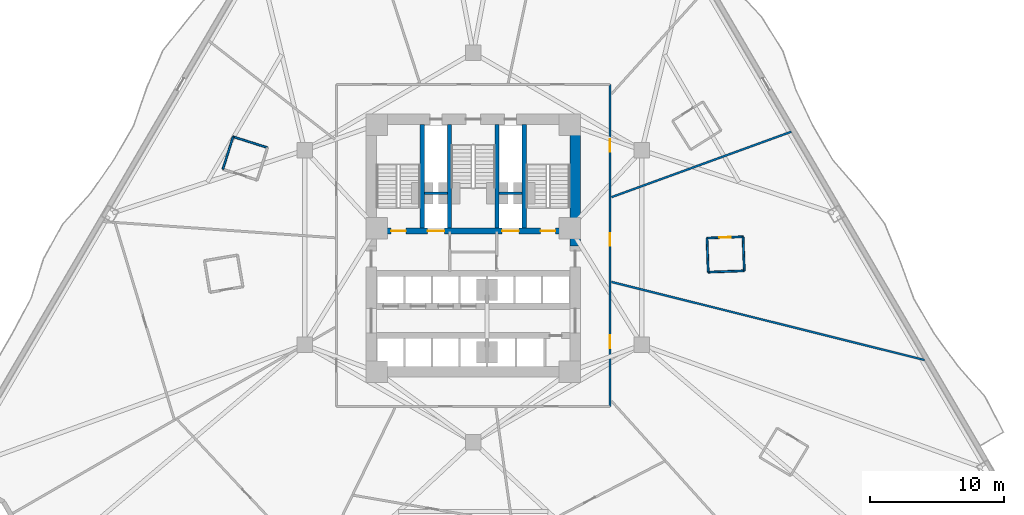
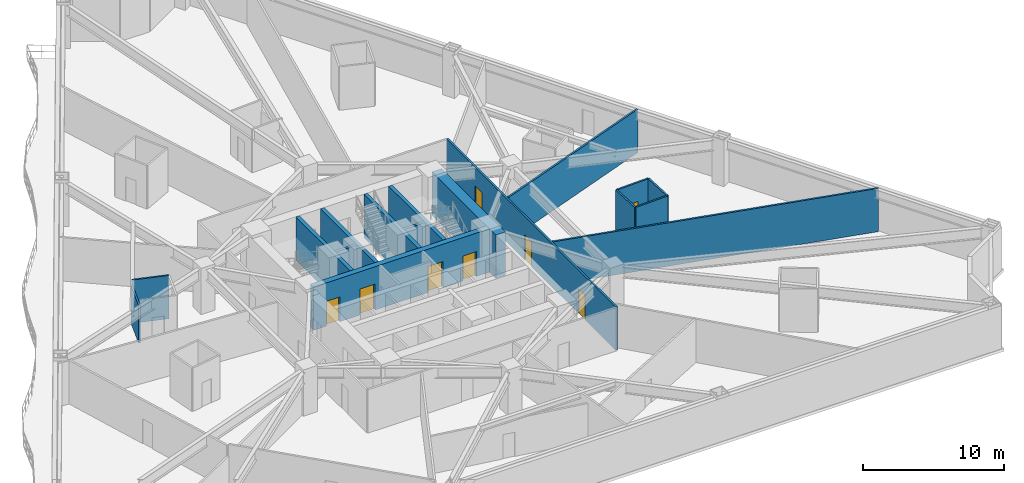
# One storey, part 5 of 11: 17 walls, 8 doors, 8 openings.
"""IFC4 building model written with IfcOpenShell, lengths in metres."""

from ifc_helpers import new_model, si_unit, direction, frame, frame_2d, origin, place, context, subcontext, project, spatial, rectangle, extrude, material, layer, layer_set, type_object, element, fill, save


model = new_model("IFC4")

# Units and contexts
model_context = context("Model", 3, precision=1e-05, world=origin(), true_north=direction((0.0, 1.0)))
body_context = subcontext(model_context, "Body", "Model", "MODEL_VIEW")
ifc_project = project(units=[si_unit("LENGTHUNIT", "METRE"), si_unit("AREAUNIT", "SQUARE_METRE"), si_unit("VOLUMEUNIT", "CUBIC_METRE"), si_unit("PLANEANGLEUNIT", "RADIAN"), si_unit("MASSUNIT", "GRAM", prefix="KILO")], contexts=[model_context])

# Site, building, storey
site_placement = place(None, origin())
site = spatial("IfcSite", under=ifc_project, at=site_placement, CompositionType="ELEMENT")
building_placement = place(site_placement, origin())
building = spatial("IfcBuilding", under=site, at=building_placement, Name="Apsidion Concourse Tower", CompositionType="ELEMENT")
storey_placement = place(building_placement, frame((0.0, 0.0, 54.39990234375)))
storey = spatial("IfcBuildingStorey", under=building, at=storey_placement, Name="L11", CompositionType="ELEMENT", Elevation=54.39990234375)

# Walls
ifc_material_1 = material(Name="Gypsum plasterboard partition")
ifc_layer_1 = layer(ifc_material_1, 0.139892578125)
ifc_layer_set_1 = layer_set([ifc_layer_1], Name="Gypsum plasterboard partition")
wall_type_1 = type_object("IfcWallType", Name="WL-INT-PAR-140", PredefinedType="PARTITIONING", material=ifc_layer_set_1)
wall_1_placement = place(storey_placement, frame((17.50830078125, -1.837646484375, 0.0), z_axis=(0.0, 0.0, 1.0), x_axis=(0.999327457394, 0.036669236402, 0.0)))
element("IfcWall", 1, at=wall_1_placement, inside=storey, type_object=wall_type_1, Name="L11 Interior Partition WL-L11-POD-ENS05-S1", PredefinedType="PARTITIONING", context=body_context, shape_type="SweptSolid", body=[
    extrude(rectangle(XDim=2.689697265625, YDim=0.139892578125, at=frame_2d((1.3447265625, 0.0))), origin(), (0.0, 0.0, 1.0), 3.75),
])
wall_2_placement = place(storey_placement, frame((20.1962890625, -1.739013671875, 0.0), z_axis=(0.0, 0.0, 1.0), x_axis=(-0.03662060601, 0.999329240649, 0.0)))
element("IfcWall", 2, at=wall_2_placement, inside=storey, type_object=wall_type_1, Name="L11 Interior Partition WL-L11-POD-ENS05-S2", PredefinedType="PARTITIONING", context=body_context, shape_type="SweptSolid", body=[
    extrude(rectangle(XDim=2.5400390625, YDim=0.139892578125, at=frame_2d((1.27001953125, 0.0))), origin(), (0.0, 0.0, 1.0), 3.75),
])

# Wall, opening, door
wall_3_placement = place(storey_placement, frame((20.103271484375, 0.79931640625, 0.0), z_axis=(0.0, 0.0, 1.0), x_axis=(-0.999327579424, -0.036665910643, 0.0)))
wall_3 = element("IfcWall", 3, at=wall_3_placement, inside=storey, type_object=wall_type_1, Name="L11 Interior Partition WL-L11-POD-ENS05-S3", PredefinedType="PARTITIONING", context=body_context, shape_type="SweptSolid", body=[
    extrude(rectangle(XDim=2.68994140625, YDim=0.139892578125, at=frame_2d((1.344970703125, 0.0))), origin(), (0.0, 0.0, 1.0), 3.75),
])
opening_1_placement = place(wall_3_placement, frame((0.905029296875, 0.0, 0.0)))
opening_1 = element("IfcOpeningElement", 4, at=opening_1_placement, cuts=wall_3, Name="Opening D-03R", PredefinedType="OPENING", context=body_context, shape_type="SweptSolid", body=[
    extrude(rectangle(XDim=0.8798828125, YDim=2.10009765625, at=frame_2d((0.43994140625, 1.050048828125))), frame((0.0, 0.080078125, 0.0), z_axis=(0.0, -1.0, 0.0), x_axis=(1.0, 0.0, 0.0)), (0.0, 0.0, 1.0), 0.159912109375),
])
ifc_material_2 = material(Name="Anodised aluminium EN AW-6063 T6", Category="aluminium")
door_type_1 = type_object("IfcDoorType", Name="DR-INT-D03R", OperationType="SINGLE_SWING_RIGHT", PredefinedType="DOOR", material=ifc_material_2)
door_1_placement = place(opening_1_placement, origin())
door_1 = element("IfcDoor", 5, at=door_1_placement, inside=storey, type_object=door_type_1, Name="L11 Guest En-Suite Bathroom Door ENS05", OperationType="SINGLE_SWING_RIGHT", OverallHeight=2.10009765625, OverallWidth=0.8798828125, PredefinedType="DOOR", context=body_context, shape_type="SweptSolid", body=[
    extrude(rectangle(XDim=0.8798828125, YDim=2.10009765625, at=frame_2d((0.43994140625, 1.050048828125))), frame((0.0, 0.02490234375, 0.0), z_axis=(0.0, -1.0, 0.0), x_axis=(1.0, 0.0, 0.0)), (0.0, 0.0, 1.0), 0.050048828125),
])
fill(opening_1, door_1)

# Walls
wall_4_placement = place(storey_placement, frame((17.4150390625, 0.70068359375, 0.0), z_axis=(0.0, 0.0, 1.0), x_axis=(0.036716593679, -0.999325718547, 0.0)))
element("IfcWall", 6, at=wall_4_placement, inside=storey, type_object=wall_type_1, Name="L11 Interior Partition WL-L11-POD-ENS05-S4", PredefinedType="PARTITIONING", context=body_context, shape_type="SweptSolid", body=[
    extrude(rectangle(XDim=2.5400390625, YDim=0.139892578125, at=frame_2d((1.27001953125, 0.0))), origin(), (0.0, 0.0, 1.0), 3.75),
])
wall_5_placement = place(storey_placement, frame((-15.328125, 7.439697265625, 0.0), z_axis=(0.0, 0.0, 1.0), x_axis=(-0.953201932401, 0.302334377912, 0.0)))
element("IfcWall", 7, at=wall_5_placement, inside=storey, type_object=wall_type_1, Name="L11 Interior Partition WL-L11-POD-ENS10-S1", PredefinedType="PARTITIONING", context=body_context, shape_type="SweptSolid", body=[
    extrude(rectangle(XDim=2.68994140625, YDim=0.139892578125, at=frame_2d((1.344970703125, 0.0))), origin(), (0.0, 0.0, 1.0), 3.75),
])
wall_6_placement = place(storey_placement, frame((-17.89208984375, 8.2529296875, 0.0), z_axis=(0.0, 0.0, 1.0), x_axis=(-0.302469641391, -0.953159019281, 0.0)))
element("IfcWall", 8, at=wall_6_placement, inside=storey, type_object=wall_type_1, Name="L11 Interior Partition WL-L11-POD-ENS10-S2", PredefinedType="PARTITIONING", context=body_context, shape_type="SweptSolid", body=[
    extrude(rectangle(XDim=2.5400390625, YDim=0.139892578125, at=frame_2d((1.27001953125, 0.0))), origin(), (0.0, 0.0, 1.0), 3.254150390625),
])

# Wall, openings, doors
ifc_layer_2 = layer(ifc_material_1, 0.14990234375)
ifc_layer_set_2 = layer_set([ifc_layer_2], Name="Gypsum plasterboard partition")
wall_type_2 = type_object("IfcWallType", Name="WL-INT-PAR-150", PredefinedType="PARTITIONING", material=ifc_layer_set_2)
wall_7_placement = place(storey_placement, frame((10.199951171875, 12.14990234375, 0.0), z_axis=(0.0, 0.0, 1.0), x_axis=(0.0, -1.0, 0.0)))
wall_7 = element("IfcWall", 9, at=wall_7_placement, inside=storey, type_object=wall_type_2, Name="L11 Interior Partition WL-L11-CORR-02", PredefinedType="PARTITIONING", context=body_context, shape_type="SweptSolid", body=[
    extrude(rectangle(XDim=24.0, YDim=0.14990234375, at=frame_2d((12.0, 0.0))), origin(), (0.0, 0.0, 1.0), 3.75),
])
opening_2_placement = place(wall_7_placement, frame((18.69140625, 0.0, 0.0)))
opening_2 = element("IfcOpeningElement", 10, at=opening_2_placement, cuts=wall_7, Name="Opening D-01L", PredefinedType="OPENING", context=body_context, shape_type="SweptSolid", body=[
    extrude(rectangle(XDim=0.949951171875, YDim=2.14990234375, at=frame_2d((0.47509765625, 1.074951171875))), frame((0.0, 0.0849609375, 0.0), z_axis=(0.0, -1.0, 0.0), x_axis=(1.0, 0.0, 0.0)), (0.0, 0.0, 1.0), 0.169921875),
])
opening_3_placement = place(wall_7_placement, frame((11.085693359375, 0.0, 0.0)))
opening_3 = element("IfcOpeningElement", 11, at=opening_3_placement, cuts=wall_7, Name="Opening D-01R", PredefinedType="OPENING", context=body_context, shape_type="SweptSolid", body=[
    extrude(rectangle(XDim=0.949951171875, YDim=2.14990234375, at=frame_2d((0.47509765625, 1.074951171875))), frame((0.0, 0.0849609375, 0.0), z_axis=(0.0, -1.0, 0.0), x_axis=(1.0, 0.0, 0.0)), (0.0, 0.0, 1.0), 0.169921875),
])
opening_4_placement = place(wall_7_placement, frame((4.068115234375, 0.0, 0.0)))
opening_4 = element("IfcOpeningElement", 12, at=opening_4_placement, cuts=wall_7, Name="Opening D-01L", PredefinedType="OPENING", context=body_context, shape_type="SweptSolid", body=[
    extrude(rectangle(XDim=0.949951171875, YDim=2.14990234375, at=frame_2d((0.47509765625, 1.074951171875))), frame((0.0, 0.0849609375, 0.0), z_axis=(0.0, -1.0, 0.0), x_axis=(1.0, 0.0, 0.0)), (0.0, 0.0, 1.0), 0.169921875),
])
ifc_material_3 = material(Name="Brushed stainless steel 316", Category="steel")
door_type_2 = type_object("IfcDoorType", Name="DR-INT-D01L", OperationType="SINGLE_SWING_LEFT", PredefinedType="DOOR", material=ifc_material_3)
door_2_placement = place(opening_2_placement, origin())
door_2 = element("IfcDoor", 13, at=door_2_placement, inside=storey, type_object=door_type_2, Name="L11 Corridor Entry Door 05", OperationType="SINGLE_SWING_LEFT", OverallHeight=2.14990234375, OverallWidth=0.949951171875, PredefinedType="DOOR", context=body_context, shape_type="SweptSolid", body=[
    extrude(rectangle(XDim=0.949951171875, YDim=2.14990234375, at=frame_2d((0.47509765625, 1.074951171875))), frame((0.0, 0.02490234375, 0.0), z_axis=(0.0, -1.0, 0.0), x_axis=(1.0, 0.0, 0.0)), (0.0, 0.0, 1.0), 0.050048828125),
])
fill(opening_2, door_2)
door_3_placement = place(opening_4_placement, origin())
door_3 = element("IfcDoor", 14, at=door_3_placement, inside=storey, type_object=door_type_2, Name="L11 Corridor Entry Door 07", OperationType="SINGLE_SWING_LEFT", OverallHeight=2.14990234375, OverallWidth=0.949951171875, PredefinedType="DOOR", context=body_context, shape_type="SweptSolid", body=[
    extrude(rectangle(XDim=0.949951171875, YDim=2.14990234375, at=frame_2d((0.47509765625, 1.074951171875))), frame((0.0, 0.02490234375, 0.0), z_axis=(0.0, -1.0, 0.0), x_axis=(1.0, 0.0, 0.0)), (0.0, 0.0, 1.0), 0.050048828125),
])
fill(opening_4, door_3)
door_type_3 = type_object("IfcDoorType", Name="DR-INT-D01R", OperationType="SINGLE_SWING_RIGHT", PredefinedType="DOOR", material=ifc_material_3)
door_4_placement = place(opening_3_placement, origin())
door_4 = element("IfcDoor", 15, at=door_4_placement, inside=storey, type_object=door_type_3, Name="L11 Corridor Entry Door 06", OperationType="SINGLE_SWING_RIGHT", OverallHeight=2.14990234375, OverallWidth=0.949951171875, PredefinedType="DOOR", context=body_context, shape_type="SweptSolid", body=[
    extrude(rectangle(XDim=0.949951171875, YDim=2.14990234375, at=frame_2d((0.47509765625, 1.074951171875))), frame((0.0, 0.02490234375, 0.0), z_axis=(0.0, -1.0, 0.0), x_axis=(1.0, 0.0, 0.0)), (0.0, 0.0, 1.0), 0.050048828125),
])
fill(opening_3, door_4)

# Walls
wall_8_placement = place(storey_placement, frame((10.304931640625, 3.750732421875, 0.0), z_axis=(0.0, 0.0, 1.0), x_axis=(0.93969583409, 0.342011314716, 0.0)))
element("IfcWall", 16, at=wall_8_placement, inside=storey, type_object=wall_type_2, Name="L11 Interior Partition WL-L11-RAD-01-1", PredefinedType="PARTITIONING", context=body_context, shape_type="SweptSolid", body=[
    extrude(rectangle(XDim=14.2490234375, YDim=0.14990234375, at=frame_2d((7.12451171875, 0.0))), origin(), (0.0, 0.0, 1.0), 3.75),
])
wall_9_placement = place(storey_placement, frame((10.304931640625, -2.5693359375, 0.0), z_axis=(0.0, 0.0, 1.0), x_axis=(0.970295876138, -0.241921294536, 0.0)))
element("IfcWall", 17, at=wall_9_placement, inside=storey, type_object=wall_type_2, Name="L11 Interior Partition WL-L11-RAD-11-1", PredefinedType="PARTITIONING", context=body_context, shape_type="SweptSolid", body=[
    extrude(rectangle(XDim=24.033447265625, YDim=0.14990234375, at=frame_2d((12.0166015625, 0.0))), origin(), (0.0, 0.0, 1.0), 3.75),
])
ifc_layer_3 = layer(ifc_material_1, 0.199951171875)
ifc_layer_set_3 = layer_set([ifc_layer_3], Name="Gypsum plasterboard partition")
wall_type_3 = type_object("IfcWallType", Name="WL-INT-PAR-200", PredefinedType="PARTITIONING", material=ifc_layer_set_3)
for number, where, z_axis, x_axis, name in (
    (18, (-3.64990234375, 4.050048828125, 0.0), (0.0, 0.0, 1.0), (1.0, 0.0, 0.0), "L11 Interior Partition WL-L11-FF1-N"),
    (19, (1.919921875, 4.050048828125, 0.0), (0.0, 0.0, 1.0), (1.0, 0.0, 0.0), "L11 Interior Partition WL-L11-FF2-N"),
):
    element("IfcWall", number, at=place(storey_placement, frame(where, z_axis=z_axis, x_axis=x_axis)), inside=storey, type_object=wall_type_3, Name=name, PredefinedType="PARTITIONING", context=body_context, shape_type="SweptSolid", body=[
        extrude(rectangle(XDim=1.72998046875, YDim=0.199951171875, at=frame_2d((0.864990234375, 0.0))), origin(), (0.0, 0.0, 1.0), 3.75),
    ])
ifc_material_4 = material(Name="Concrete C50/60", Category="concrete")
ifc_layer_4 = layer(ifc_material_4, 0.300048828125)
ifc_layer_set_4 = layer_set([ifc_layer_4], Name="Concrete C50/60")
wall_type_4 = type_object("IfcWallType", Name="WL-SH-300", PredefinedType="SHEAR", material=ifc_layer_set_4)
for number, where, z_axis, x_axis, name in (
    (20, (-3.800048828125, 1.449951171875, 0.0), (0.0, 0.0, 1.0), (0.0, 1.0, 0.0), "L11 Central Core Shear Wall V1"),
    (21, (-1.77490234375, 1.449951171875, 0.0), (0.0, 0.0, 1.0), (0.0, 1.0, 0.0), "L11 Central Core Shear Wall V2"),
    (22, (1.77490234375, 1.449951171875, 0.0), (0.0, 0.0, 1.0), (0.0, 1.0, 0.0), "L11 Central Core Shear Wall V3"),
    (23, (3.800048828125, 1.449951171875, 0.0), (0.0, 0.0, 1.0), (0.0, 1.0, 0.0), "L11 Central Core Shear Wall V4"),
):
    element("IfcWall", number, at=place(storey_placement, frame(where, z_axis=z_axis, x_axis=x_axis)), inside=storey, type_object=wall_type_4, Name=name, PredefinedType="SHEAR", context=body_context, shape_type="SweptSolid", body=[
        extrude(rectangle(XDim=7.699951171875, YDim=0.300048828125, at=frame_2d((3.85009765625, 0.0))), origin(), (0.0, 0.0, 1.0), 3.75),
    ])

# Wall, openings, doors
ifc_material_5 = material(Name="Concrete C60/75", Category="concrete")
ifc_layer_5 = layer(ifc_material_5, 0.449951171875)
ifc_layer_set_5 = layer_set([ifc_layer_5], Name="Concrete C60/75")
wall_type_5 = type_object("IfcWallType", Name="WL-SH-450", PredefinedType="SHEAR", material=ifc_layer_set_5)
wall_10_placement = place(storey_placement, frame((-7.199951171875, 1.22509765625, 0.0), z_axis=(0.0, 0.0, 1.0), x_axis=(1.0, 0.0, 0.0)))
wall_10 = element("IfcWall", 24, at=wall_10_placement, inside=storey, type_object=wall_type_5, Name="L11 Central Core Shear Wall M1", PredefinedType="SHEAR", context=body_context, shape_type="SweptSolid", body=[
    extrude(rectangle(XDim=14.39990234375, YDim=0.449951171875, at=frame_2d((7.199951171875, 0.0))), origin(), (0.0, 0.0, 1.0), 3.75),
])
opening_5_placement = place(wall_10_placement, frame((3.794921875, 0.0, 0.0)))
opening_5 = element("IfcOpeningElement", 25, at=opening_5_placement, cuts=wall_10, Name="Opening LD-FF", PredefinedType="OPENING", context=body_context, shape_type="SweptSolid", body=[
    extrude(rectangle(XDim=1.25, YDim=2.25, at=frame_2d((0.625, 1.125))), frame((0.0, 0.23486328125, 0.0), z_axis=(0.0, -1.0, 0.0), x_axis=(1.0, 0.0, 0.0)), (0.0, 0.0, 1.0), 0.469970703125),
])
opening_6_placement = place(wall_10_placement, frame((9.35498046875, 0.0, 0.0)))
opening_6 = element("IfcOpeningElement", 26, at=opening_6_placement, cuts=wall_10, Name="Opening LD-FF", PredefinedType="OPENING", context=body_context, shape_type="SweptSolid", body=[
    extrude(rectangle(XDim=1.25, YDim=2.25, at=frame_2d((0.625, 1.125))), frame((0.0, 0.23486328125, 0.0), z_axis=(0.0, -1.0, 0.0), x_axis=(1.0, 0.0, 0.0)), (0.0, 0.0, 1.0), 0.469970703125),
])
opening_7_placement = place(wall_10_placement, frame((1.074951171875, 0.0, 0.0)))
opening_7 = element("IfcOpeningElement", 27, at=opening_7_placement, cuts=wall_10, Name="Opening D-STL", PredefinedType="OPENING", context=body_context, shape_type="SweptSolid", body=[
    extrude(rectangle(XDim=1.10009765625, YDim=2.14990234375, at=frame_2d((0.550048828125, 1.074951171875))), frame((0.0, 0.23486328125, 0.0), z_axis=(0.0, -1.0, 0.0), x_axis=(1.0, 0.0, 0.0)), (0.0, 0.0, 1.0), 0.469970703125),
])
opening_8_placement = place(wall_10_placement, frame((12.22509765625, 0.0, 0.0)))
opening_8 = element("IfcOpeningElement", 28, at=opening_8_placement, cuts=wall_10, Name="Opening D-STR", PredefinedType="OPENING", context=body_context, shape_type="SweptSolid", body=[
    extrude(rectangle(XDim=1.10009765625, YDim=2.14990234375, at=frame_2d((0.550048828125, 1.074951171875))), frame((0.0, 0.23486328125, 0.0), z_axis=(0.0, -1.0, 0.0), x_axis=(1.0, 0.0, 0.0)), (0.0, 0.0, 1.0), 0.469970703125),
])
door_type_4 = type_object("IfcDoorType", Name="DR-INT-ST1L", OperationType="SINGLE_SWING_LEFT", PredefinedType="DOOR", material=ifc_material_3)
door_5_placement = place(opening_7_placement, origin())
door_5 = element("IfcDoor", 29, at=door_5_placement, inside=storey, type_object=door_type_4, Name="L11 Core Exit Stair ST1 Door", OperationType="SINGLE_SWING_LEFT", OverallHeight=2.14990234375, OverallWidth=1.10009765625, PredefinedType="DOOR", context=body_context, shape_type="SweptSolid", body=[
    extrude(rectangle(XDim=1.10009765625, YDim=2.14990234375, at=frame_2d((0.550048828125, 1.074951171875))), frame((0.0, 0.02490234375, 0.0), z_axis=(0.0, -1.0, 0.0), x_axis=(1.0, 0.0, 0.0)), (0.0, 0.0, 1.0), 0.050048828125),
])
fill(opening_7, door_5)
door_type_5 = type_object("IfcDoorType", Name="DR-INT-ST1R", OperationType="SINGLE_SWING_RIGHT", PredefinedType="DOOR", material=ifc_material_3)
door_6_placement = place(opening_8_placement, origin())
door_6 = element("IfcDoor", 30, at=door_6_placement, inside=storey, type_object=door_type_5, Name="L11 Core Exit Stair ST2 Door", OperationType="SINGLE_SWING_RIGHT", OverallHeight=2.14990234375, OverallWidth=1.10009765625, PredefinedType="DOOR", context=body_context, shape_type="SweptSolid", body=[
    extrude(rectangle(XDim=1.10009765625, YDim=2.14990234375, at=frame_2d((0.550048828125, 1.074951171875))), frame((0.0, 0.02490234375, 0.0), z_axis=(0.0, -1.0, 0.0), x_axis=(1.0, 0.0, 0.0)), (0.0, 0.0, 1.0), 0.050048828125),
])
fill(opening_8, door_6)
door_type_6 = type_object("IfcDoorType", Name="DR-LD-FSAE", OperationType="DOUBLE_DOOR_SLIDING", PredefinedType="DOOR", material=ifc_material_3)
door_7_placement = place(opening_5_placement, origin())
door_7 = element("IfcDoor", 31, at=door_7_placement, inside=storey, type_object=door_type_6, Name="L11 Lift Landing Door FF1", OperationType="DOUBLE_DOOR_SLIDING", OverallHeight=2.25, OverallWidth=1.25, PredefinedType="DOOR", context=body_context, shape_type="SweptSolid", body=[
    extrude(rectangle(XDim=1.25, YDim=2.25, at=frame_2d((0.625, 1.125))), frame((0.0, 0.02490234375, 0.0), z_axis=(0.0, -1.0, 0.0), x_axis=(1.0, 0.0, 0.0)), (0.0, 0.0, 1.0), 0.050048828125),
])
fill(opening_5, door_7)
door_8_placement = place(opening_6_placement, origin())
door_8 = element("IfcDoor", 32, at=door_8_placement, inside=storey, type_object=door_type_6, Name="L11 Lift Landing Door FF2", OperationType="DOUBLE_DOOR_SLIDING", OverallHeight=2.25, OverallWidth=1.25, PredefinedType="DOOR", context=body_context, shape_type="SweptSolid", body=[
    extrude(rectangle(XDim=1.25, YDim=2.25, at=frame_2d((0.625, 1.125))), frame((0.0, 0.02490234375, 0.0), z_axis=(0.0, -1.0, 0.0), x_axis=(1.0, 0.0, 0.0)), (0.0, 0.0, 1.0), 0.050048828125),
])
fill(opening_6, door_8)

# Wall
ifc_layer_6 = layer(ifc_material_5, 0.800048828125)
ifc_layer_set_6 = layer_set([ifc_layer_6], Name="Concrete C60/75")
wall_type_6 = type_object("IfcWallType", Name="WL-SH-800", PredefinedType="SHEAR", material=ifc_layer_set_6)
wall_11_placement = place(storey_placement, frame((7.60009765625, 0.10009765625, 0.0), z_axis=(0.0, 0.0, 1.0), x_axis=(0.0, 1.0, 0.0)))
element("IfcWall", 33, at=wall_11_placement, inside=storey, type_object=wall_type_6, Name="L11 Central Core Shear Wall EN", PredefinedType="SHEAR", context=body_context, shape_type="SweptSolid", body=[
    extrude(rectangle(XDim=9.0498046875, YDim=0.800048828125, at=frame_2d((4.52490234375, 0.0))), origin(), (0.0, 0.0, 1.0), 3.75),
])

save(model, "model.ifc")
